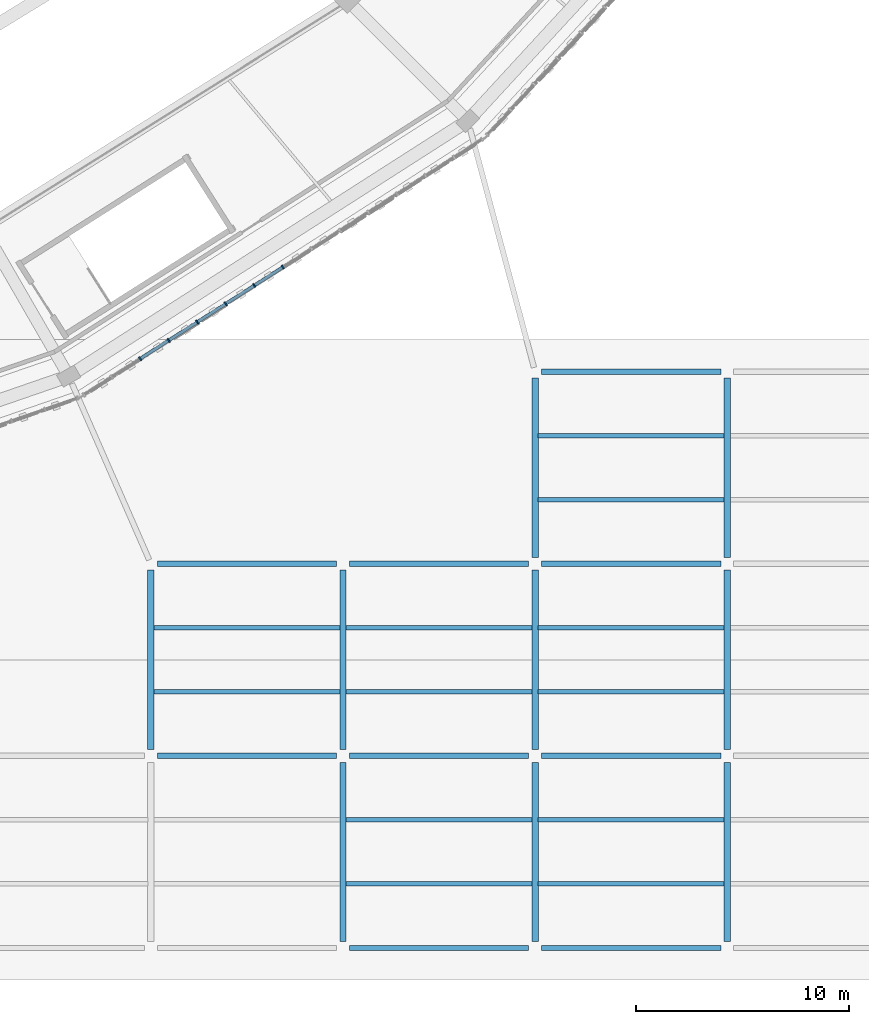
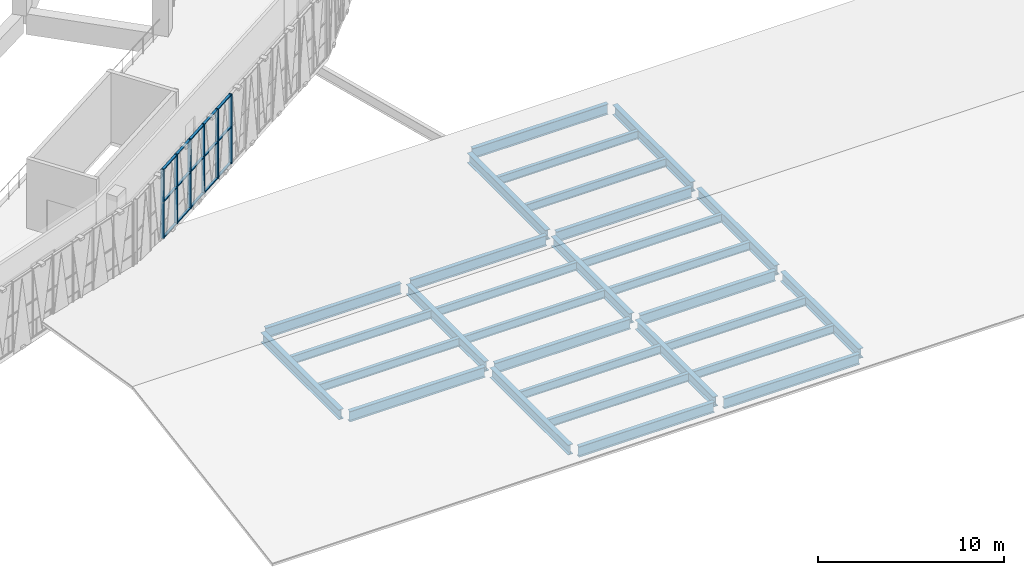
# One storey, part 21 of 108: 30 beams, 21 members, 1 element without a shape of its own.
"""IFC4 building model written with IfcOpenShell, lengths in metres."""

from ifc_helpers import new_model, si_unit, direction, frame, origin, origin_2d, place, context, subcontext, project, spatial, rectangle, i_section, extrude, material, material_profile, profile_set, type_object, element, aggregate, save


model = new_model("IFC4")

# Units and contexts
model_context = context("Model", 3, precision=1e-05, world=origin(), true_north=direction((0.0, 1.0)))
body_context = subcontext(model_context, "Body", "Model", "MODEL_VIEW")
ifc_project = project(units=[si_unit("LENGTHUNIT", "METRE"), si_unit("AREAUNIT", "SQUARE_METRE"), si_unit("VOLUMEUNIT", "CUBIC_METRE"), si_unit("PLANEANGLEUNIT", "RADIAN"), si_unit("MASSUNIT", "GRAM", prefix="KILO")], contexts=[model_context])

# Site, building, storey
site_placement = place(None, origin())
site = spatial("IfcSite", under=ifc_project, at=site_placement, CompositionType="ELEMENT")
building_placement = place(site_placement, origin())
building = spatial("IfcBuilding", under=site, at=building_placement, Name="Zevraka Park Crest Stadium", CompositionType="ELEMENT")
storey_placement = place(building_placement, frame((0.0, 0.0, 19.800048828125)))
storey = spatial("IfcBuildingStorey", under=building, at=storey_placement, Name="L04", CompositionType="ELEMENT", Elevation=19.800048828125)

# Beams
ifc_material_1 = material(Name="Steel S355", Category="steel")
ifc_material_profile_1 = material_profile(ifc_material_1, i_section(OverallWidth=0.253662109375, OverallDepth=0.68359375, WebThickness=0.012451171875, FlangeThickness=0.01904296875, at=origin_2d()), Name="UKB 686x254x140")
ifc_profile_set_1 = profile_set([ifc_material_profile_1], Name="Steel S355")
beam_type_1 = type_object("IfcBeamType", Name="BG05", PredefinedType="BEAM", material=ifc_profile_set_1)
for number, where, z_axis, x_axis, name in (
    (1, (161.300048828125, 9.0, -0.60986328125), (1.0, 0.0, 0.0), (0.0, 1.0, 0.0), "Wing Girder BG05 L04-1819/B"),
    (2, (161.300048828125, 18.0, -0.60986328125), (1.0, 0.0, 0.0), (0.0, 1.0, 0.0), "Wing Girder BG05 L04-1819/C"),
    (3, (170.300048828125, 0.0, -0.60986328125), (1.0, 0.0, 0.0), (0.0, 1.0, 0.0), "Wing Girder BG05 L04-1920/A"),
    (4, (170.300048828125, 9.0, -0.60986328125), (1.0, 0.0, 0.0), (0.0, 1.0, 0.0), "Wing Girder BG05 L04-1920/B"),
    (5, (170.300048828125, 18.0, -0.60986328125), (1.0, 0.0, 0.0), (0.0, 1.0, 0.0), "Wing Girder BG05 L04-1920/C"),
    (6, (179.300048828125, 0.0, -0.60986328125), (1.0, 0.0, 0.0), (0.0, 1.0, 0.0), "Wing Girder BG05 L04-2021/A"),
    (7, (179.300048828125, 9.0, -0.60986328125), (1.0, 0.0, 0.0), (0.0, 1.0, 0.0), "Wing Girder BG05 L04-2021/B"),
    (8, (179.300048828125, 18.0, -0.60986328125), (1.0, 0.0, 0.0), (0.0, 1.0, 0.0), "Wing Girder BG05 L04-2021/C"),
    (9, (179.300048828125, 27.0, -0.60986328125), (1.0, 0.0, 0.0), (0.0, 1.0, 0.0), "Wing Girder BG05 L04-2021/D"),
):
    element("IfcBeam", number, at=place(storey_placement, frame(where, z_axis=z_axis, x_axis=x_axis)), inside=storey, type_object=beam_type_1, Name=name, PredefinedType="BEAM", context=body_context, shape_type="SweptSolid", body=[
        extrude(i_section(OverallWidth=0.253662109375, OverallDepth=0.68359375, WebThickness=0.012451171875, FlangeThickness=0.01904296875, at=origin_2d()), origin(), (0.0, 0.0, 1.0), 8.39990234375),
    ])
ifc_material_2 = material(Name="Steel S355", Category="steel")
ifc_material_profile_2 = material_profile(ifc_material_2, i_section(OverallWidth=0.300048828125, OverallDepth=0.64990234375, WebThickness=0.01611328125, FlangeThickness=0.031005859375, at=origin_2d()), Name="HEB 650")
ifc_profile_set_2 = profile_set([ifc_material_profile_2], Name="Steel S355")
beam_type_2 = type_object("IfcBeamType", Name="BG07", PredefinedType="BEAM", material=ifc_profile_set_2)
for number, where, z_axis, x_axis, name in (
    (10, (161.0, 9.300048828125, -0.593017578125), (0.0, 1.0, 0.0), (-1.0, 0.0, 0.0), "Wing Girder BG07 L04-18/BC"),
    (11, (170.0, 0.300048828125, -0.593017578125), (0.0, 1.0, 0.0), (-1.0, 0.0, 0.0), "Wing Girder BG07 L04-19/AB"),
    (12, (170.0, 9.300048828125, -0.593017578125), (0.0, 1.0, 0.0), (-1.0, 0.0, 0.0), "Wing Girder BG07 L04-19/BC"),
    (13, (179.0, 0.300048828125, -0.593017578125), (0.0, 1.0, 0.0), (-1.0, 0.0, 0.0), "Wing Girder BG07 L04-20/AB"),
    (14, (179.0, 9.300048828125, -0.593017578125), (0.0, 1.0, 0.0), (-1.0, 0.0, 0.0), "Wing Girder BG07 L04-20/BC"),
    (15, (179.0, 18.300048828125, -0.593017578125), (0.0, 1.0, 0.0), (-1.0, 0.0, 0.0), "Wing Girder BG07 L04-20/CD"),
    (16, (188.0, 0.300048828125, -0.593017578125), (0.0, 1.0, 0.0), (-1.0, 0.0, 0.0), "Wing Girder BG07 L04-21/AB"),
    (17, (188.0, 9.300048828125, -0.593017578125), (0.0, 1.0, 0.0), (-1.0, 0.0, 0.0), "Wing Girder BG07 L04-21/BC"),
    (18, (188.0, 18.300048828125, -0.593017578125), (0.0, 1.0, 0.0), (-1.0, 0.0, 0.0), "Wing Girder BG07 L04-21/CD"),
):
    element("IfcBeam", number, at=place(storey_placement, frame(where, z_axis=z_axis, x_axis=x_axis)), inside=storey, type_object=beam_type_2, Name=name, PredefinedType="BEAM", context=body_context, shape_type="SweptSolid", body=[
        extrude(i_section(OverallWidth=0.300048828125, OverallDepth=0.64990234375, WebThickness=0.01611328125, FlangeThickness=0.031005859375, at=origin_2d()), origin(), (0.0, 0.0, 1.0), 8.39990234375),
    ])

# Curtain wall, members
ifc_material_3 = material(Name="Anodised architectural aluminium and laminated safety glass", Category="aluminium")
curtain_wall_type = type_object("IfcCurtainWallType", Name="CW18", PredefinedType="NOTDEFINED", material=ifc_material_3)
curtain_wall_placement = place(storey_placement, origin())
curtain_wall = element("IfcCurtainWall", 19, at=curtain_wall_placement, inside=storey, type_object=curtain_wall_type, Name="Unitised Ring Curtain Wall CW18 L04-20", PredefinedType="NOTDEFINED")
ifc_material_4 = material(Name="Anodised architectural aluminium", Category="aluminium")
ifc_material_profile_3 = material_profile(ifc_material_4, rectangle(XDim=0.199951171875, YDim=0.070068359375, at=origin_2d()), Name="ALU MULLION 200x70")
ifc_profile_set_3 = profile_set([ifc_material_profile_3], Name="Anodised architectural aluminium")
member_type_1 = type_object("IfcMemberType", Name="CM03", PredefinedType="MULLION", material=ifc_profile_set_3)
member_1_placement = place(storey_placement, frame((160.49853515625, 27.607177734375, 0.0), z_axis=(0.0, 0.0, 1.0), x_axis=(-0.539979944029, 0.841677883781, 0.0)))
member_1 = element("IfcMember", 20, at=member_1_placement, type_object=member_type_1, Name="CW18 mullion 3", PredefinedType="MULLION", context=body_context, shape_type="SweptSolid", body=[
    extrude(rectangle(XDim=0.199951171875, YDim=0.070068359375, at=origin_2d()), origin(), (0.0, 0.0, 1.0), 4.5400390625),
])
member_2_placement = place(storey_placement, frame((161.835205078125, 28.464599609375, 0.0), z_axis=(0.0, 0.0, 1.0), x_axis=(-0.539979944029, 0.841677883781, 0.0)))
member_2 = element("IfcMember", 21, at=member_2_placement, type_object=member_type_1, Name="CW18 mullion 4", PredefinedType="MULLION", context=body_context, shape_type="SweptSolid", body=[
    extrude(rectangle(XDim=0.199951171875, YDim=0.070068359375, at=origin_2d()), origin(), (0.0, 0.0, 1.0), 4.5400390625),
])
member_3_placement = place(storey_placement, frame((163.171875, 29.322265625, 0.0), z_axis=(0.0, 0.0, 1.0), x_axis=(-0.539979944029, 0.841677883781, 0.0)))
member_3 = element("IfcMember", 22, at=member_3_placement, type_object=member_type_1, Name="CW18 mullion 5", PredefinedType="MULLION", context=body_context, shape_type="SweptSolid", body=[
    extrude(rectangle(XDim=0.199951171875, YDim=0.070068359375, at=origin_2d()), origin(), (0.0, 0.0, 1.0), 4.5400390625),
])
member_4_placement = place(storey_placement, frame((164.508544921875, 30.179931640625, 0.0), z_axis=(0.0, 0.0, 1.0), x_axis=(-0.539979944029, 0.841677883781, 0.0)))
member_4 = element("IfcMember", 23, at=member_4_placement, type_object=member_type_1, Name="CW18 mullion 6", PredefinedType="MULLION", context=body_context, shape_type="SweptSolid", body=[
    extrude(rectangle(XDim=0.199951171875, YDim=0.070068359375, at=origin_2d()), origin(), (0.0, 0.0, 1.0), 4.5400390625),
])
member_5_placement = place(storey_placement, frame((165.84521484375, 31.037353515625, 0.0), z_axis=(0.0, 0.0, 1.0), x_axis=(-0.539979944029, 0.841677883781, 0.0)))
member_5 = element("IfcMember", 24, at=member_5_placement, type_object=member_type_1, Name="CW18 mullion 7", PredefinedType="MULLION", context=body_context, shape_type="SweptSolid", body=[
    extrude(rectangle(XDim=0.199951171875, YDim=0.070068359375, at=origin_2d()), origin(), (0.0, 0.0, 1.0), 4.5400390625),
])
member_6_placement = place(storey_placement, frame((167.181884765625, 31.89501953125, 0.0), z_axis=(0.0, 0.0, 1.0), x_axis=(-0.539979944029, 0.841677883781, 0.0)))
member_6 = element("IfcMember", 25, at=member_6_placement, type_object=member_type_1, Name="CW18 mullion 8", PredefinedType="MULLION", context=body_context, shape_type="SweptSolid", body=[
    extrude(rectangle(XDim=0.199951171875, YDim=0.070068359375, at=origin_2d()), origin(), (0.0, 0.0, 1.0), 4.5400390625),
])
ifc_material_5 = material(Name="Anodised architectural aluminium", Category="aluminium")
ifc_material_profile_4 = material_profile(ifc_material_5, rectangle(XDim=0.14990234375, YDim=0.070068359375, at=origin_2d()), Name="ALU TRANSOM 150x70")
ifc_profile_set_4 = profile_set([ifc_material_profile_4], Name="Anodised architectural aluminium")
member_type_2 = type_object("IfcMemberType", Name="CT03", PredefinedType="USERDEFINED", material=ifc_profile_set_4)
member_7_placement = place(storey_placement, frame((160.52783203125, 27.6259765625, 0.034912109375), z_axis=(0.841669260565, 0.539993384978, 0.0), x_axis=(-0.539993384978, 0.841669260565, 0.0)))
member_7 = element("IfcMember", 26, at=member_7_placement, type_object=member_type_2, Name="CW18 transom 3.1", ObjectType="TRANSOM", PredefinedType="USERDEFINED", context=body_context, shape_type="SweptSolid", body=[
    extrude(rectangle(XDim=0.14990234375, YDim=0.070068359375, at=origin_2d()), origin(), (0.0, 0.0, 1.0), 1.518310546875),
])
member_8_placement = place(storey_placement, frame((160.52783203125, 27.6259765625, 2.39990234375), z_axis=(0.841669260565, 0.539993384978, 0.0), x_axis=(-0.539993384978, 0.841669260565, 0.0)))
member_8 = element("IfcMember", 27, at=member_8_placement, type_object=member_type_2, Name="CW18 transom 3.2", ObjectType="TRANSOM", PredefinedType="USERDEFINED", context=body_context, shape_type="SweptSolid", body=[
    extrude(rectangle(XDim=0.14990234375, YDim=0.070068359375, at=origin_2d()), origin(), (0.0, 0.0, 1.0), 1.518310546875),
])
member_9_placement = place(storey_placement, frame((160.52783203125, 27.6259765625, 4.5048828125), z_axis=(0.841669260565, 0.539993384978, 0.0), x_axis=(-0.539993384978, 0.841669260565, 0.0)))
member_9 = element("IfcMember", 28, at=member_9_placement, type_object=member_type_2, Name="CW18 transom 3.3", ObjectType="TRANSOM", PredefinedType="USERDEFINED", context=body_context, shape_type="SweptSolid", body=[
    extrude(rectangle(XDim=0.14990234375, YDim=0.070068359375, at=origin_2d()), origin(), (0.0, 0.0, 1.0), 1.518310546875),
])
member_10_placement = place(storey_placement, frame((161.864501953125, 28.483642578125, 0.034912109375), z_axis=(0.841669260565, 0.539993384978, 0.0), x_axis=(-0.539993384978, 0.841669260565, 0.0)))
member_10 = element("IfcMember", 29, at=member_10_placement, type_object=member_type_2, Name="CW18 transom 4.1", ObjectType="TRANSOM", PredefinedType="USERDEFINED", context=body_context, shape_type="SweptSolid", body=[
    extrude(rectangle(XDim=0.14990234375, YDim=0.070068359375, at=origin_2d()), origin(), (0.0, 0.0, 1.0), 1.518310546875),
])
member_11_placement = place(storey_placement, frame((161.864501953125, 28.483642578125, 2.39990234375), z_axis=(0.841669260565, 0.539993384978, 0.0), x_axis=(-0.539993384978, 0.841669260565, 0.0)))
member_11 = element("IfcMember", 30, at=member_11_placement, type_object=member_type_2, Name="CW18 transom 4.2", ObjectType="TRANSOM", PredefinedType="USERDEFINED", context=body_context, shape_type="SweptSolid", body=[
    extrude(rectangle(XDim=0.14990234375, YDim=0.070068359375, at=origin_2d()), origin(), (0.0, 0.0, 1.0), 1.518310546875),
])
member_12_placement = place(storey_placement, frame((161.864501953125, 28.483642578125, 4.5048828125), z_axis=(0.841669260565, 0.539993384978, 0.0), x_axis=(-0.539993384978, 0.841669260565, 0.0)))
member_12 = element("IfcMember", 31, at=member_12_placement, type_object=member_type_2, Name="CW18 transom 4.3", ObjectType="TRANSOM", PredefinedType="USERDEFINED", context=body_context, shape_type="SweptSolid", body=[
    extrude(rectangle(XDim=0.14990234375, YDim=0.070068359375, at=origin_2d()), origin(), (0.0, 0.0, 1.0), 1.518310546875),
])
member_13_placement = place(storey_placement, frame((163.201416015625, 29.341064453125, 0.034912109375), z_axis=(0.841622360569, 0.540066479417, 0.0), x_axis=(-0.540066479417, 0.841622360569, 0.0)))
member_13 = element("IfcMember", 32, at=member_13_placement, type_object=member_type_2, Name="CW18 transom 5.1", ObjectType="TRANSOM", PredefinedType="USERDEFINED", context=body_context, shape_type="SweptSolid", body=[
    extrude(rectangle(XDim=0.14990234375, YDim=0.070068359375, at=origin_2d()), origin(), (0.0, 0.0, 1.0), 1.51806640625),
])
member_14_placement = place(storey_placement, frame((163.201416015625, 29.341064453125, 2.39990234375), z_axis=(0.841622360569, 0.540066479417, 0.0), x_axis=(-0.540066479417, 0.841622360569, 0.0)))
member_14 = element("IfcMember", 33, at=member_14_placement, type_object=member_type_2, Name="CW18 transom 5.2", ObjectType="TRANSOM", PredefinedType="USERDEFINED", context=body_context, shape_type="SweptSolid", body=[
    extrude(rectangle(XDim=0.14990234375, YDim=0.070068359375, at=origin_2d()), origin(), (0.0, 0.0, 1.0), 1.51806640625),
])
member_15_placement = place(storey_placement, frame((163.201416015625, 29.341064453125, 4.5048828125), z_axis=(0.841622360569, 0.540066479417, 0.0), x_axis=(-0.540066479417, 0.841622360569, 0.0)))
member_15 = element("IfcMember", 34, at=member_15_placement, type_object=member_type_2, Name="CW18 transom 5.3", ObjectType="TRANSOM", PredefinedType="USERDEFINED", context=body_context, shape_type="SweptSolid", body=[
    extrude(rectangle(XDim=0.14990234375, YDim=0.070068359375, at=origin_2d()), origin(), (0.0, 0.0, 1.0), 1.51806640625),
])
member_16_placement = place(storey_placement, frame((164.5380859375, 30.19873046875, 0.034912109375), z_axis=(0.841669260565, 0.539993384978, 0.0), x_axis=(-0.539993384978, 0.841669260565, 0.0)))
member_16 = element("IfcMember", 35, at=member_16_placement, type_object=member_type_2, Name="CW18 transom 6.1", ObjectType="TRANSOM", PredefinedType="USERDEFINED", context=body_context, shape_type="SweptSolid", body=[
    extrude(rectangle(XDim=0.14990234375, YDim=0.070068359375, at=origin_2d()), origin(), (0.0, 0.0, 1.0), 1.518310546875),
])
member_17_placement = place(storey_placement, frame((164.5380859375, 30.19873046875, 2.39990234375), z_axis=(0.841669260565, 0.539993384978, 0.0), x_axis=(-0.539993384978, 0.841669260565, 0.0)))
member_17 = element("IfcMember", 36, at=member_17_placement, type_object=member_type_2, Name="CW18 transom 6.2", ObjectType="TRANSOM", PredefinedType="USERDEFINED", context=body_context, shape_type="SweptSolid", body=[
    extrude(rectangle(XDim=0.14990234375, YDim=0.070068359375, at=origin_2d()), origin(), (0.0, 0.0, 1.0), 1.518310546875),
])
member_18_placement = place(storey_placement, frame((164.5380859375, 30.19873046875, 4.5048828125), z_axis=(0.841669260565, 0.539993384978, 0.0), x_axis=(-0.539993384978, 0.841669260565, 0.0)))
member_18 = element("IfcMember", 37, at=member_18_placement, type_object=member_type_2, Name="CW18 transom 6.3", ObjectType="TRANSOM", PredefinedType="USERDEFINED", context=body_context, shape_type="SweptSolid", body=[
    extrude(rectangle(XDim=0.14990234375, YDim=0.070068359375, at=origin_2d()), origin(), (0.0, 0.0, 1.0), 1.518310546875),
])
member_19_placement = place(storey_placement, frame((165.874755859375, 31.056396484375, 0.034912109375), z_axis=(0.841669260565, 0.539993384978, 0.0), x_axis=(-0.539993384978, 0.841669260565, 0.0)))
member_19 = element("IfcMember", 38, at=member_19_placement, type_object=member_type_2, Name="CW18 transom 7.1", ObjectType="TRANSOM", PredefinedType="USERDEFINED", context=body_context, shape_type="SweptSolid", body=[
    extrude(rectangle(XDim=0.14990234375, YDim=0.070068359375, at=origin_2d()), origin(), (0.0, 0.0, 1.0), 1.518310546875),
])
member_20_placement = place(storey_placement, frame((165.874755859375, 31.056396484375, 2.39990234375), z_axis=(0.841669260565, 0.539993384978, 0.0), x_axis=(-0.539993384978, 0.841669260565, 0.0)))
member_20 = element("IfcMember", 39, at=member_20_placement, type_object=member_type_2, Name="CW18 transom 7.2", ObjectType="TRANSOM", PredefinedType="USERDEFINED", context=body_context, shape_type="SweptSolid", body=[
    extrude(rectangle(XDim=0.14990234375, YDim=0.070068359375, at=origin_2d()), origin(), (0.0, 0.0, 1.0), 1.518310546875),
])
member_21_placement = place(storey_placement, frame((165.874755859375, 31.056396484375, 4.5048828125), z_axis=(0.841669260565, 0.539993384978, 0.0), x_axis=(-0.539993384978, 0.841669260565, 0.0)))
member_21 = element("IfcMember", 40, at=member_21_placement, type_object=member_type_2, Name="CW18 transom 7.3", ObjectType="TRANSOM", PredefinedType="USERDEFINED", context=body_context, shape_type="SweptSolid", body=[
    extrude(rectangle(XDim=0.14990234375, YDim=0.070068359375, at=origin_2d()), origin(), (0.0, 0.0, 1.0), 1.518310546875),
])
aggregate(curtain_wall, [member_1, member_2, member_3, member_4, member_5, member_6, member_7, member_8, member_9, member_10, member_11, member_12, member_13, member_14, member_15, member_16, member_17, member_18, member_19, member_20, member_21])

# Beams
ifc_material_6 = material(Name="Steel S355", Category="steel")
ifc_material_profile_5 = material_profile(ifc_material_6, i_section(OverallWidth=0.209228515625, OverallDepth=0.533203125, WebThickness=0.010009765625, FlangeThickness=0.015625, at=origin_2d()), Name="UKB 533x210x92")
ifc_profile_set_5 = profile_set([ifc_material_profile_5], Name="Steel S355")
beam_type_3 = type_object("IfcBeamType", Name="SJ05", PredefinedType="JOIST", material=ifc_profile_set_5)
for number, where, z_axis, x_axis, name in (
    (41, (161.14501953125, 12.0, -0.53662109375), (1.0, 0.0, 0.0), (0.0, 1.0, 0.0), "Wing Joist SJ05 L04-18/B-1"),
    (42, (161.14501953125, 15.0, -0.53662109375), (1.0, 0.0, 0.0), (0.0, 1.0, 0.0), "Wing Joist SJ05 L04-18/B-2"),
    (43, (170.14501953125, 3.0, -0.53662109375), (1.0, 0.0, 0.0), (0.0, 1.0, 0.0), "Wing Joist SJ05 L04-19/A-1"),
    (44, (170.14501953125, 6.0, -0.53662109375), (1.0, 0.0, 0.0), (0.0, 1.0, 0.0), "Wing Joist SJ05 L04-19/A-2"),
    (45, (170.14501953125, 12.0, -0.53662109375), (1.0, 0.0, 0.0), (0.0, 1.0, 0.0), "Wing Joist SJ05 L04-19/B-1"),
    (46, (170.14501953125, 15.0, -0.53662109375), (1.0, 0.0, 0.0), (0.0, 1.0, 0.0), "Wing Joist SJ05 L04-19/B-2"),
    (47, (179.14501953125, 3.0, -0.53662109375), (1.0, 0.0, 0.0), (0.0, 1.0, 0.0), "Wing Joist SJ05 L04-20/A-1"),
    (48, (179.14501953125, 6.0, -0.53662109375), (1.0, 0.0, 0.0), (0.0, 1.0, 0.0), "Wing Joist SJ05 L04-20/A-2"),
    (49, (179.14501953125, 12.0, -0.53662109375), (1.0, 0.0, 0.0), (0.0, 1.0, 0.0), "Wing Joist SJ05 L04-20/B-1"),
    (50, (179.14501953125, 15.0, -0.53662109375), (1.0, 0.0, 0.0), (0.0, 1.0, 0.0), "Wing Joist SJ05 L04-20/B-2"),
    (51, (179.14501953125, 21.0, -0.53662109375), (1.0, 0.0, 0.0), (0.0, 1.0, 0.0), "Wing Joist SJ05 L04-20/C-1"),
    (52, (179.14501953125, 24.0, -0.53662109375), (1.0, 0.0, 0.0), (0.0, 1.0, 0.0), "Wing Joist SJ05 L04-20/C-2"),
):
    element("IfcBeam", number, at=place(storey_placement, frame(where, z_axis=z_axis, x_axis=x_axis)), inside=storey, type_object=beam_type_3, Name=name, PredefinedType="JOIST", context=body_context, shape_type="SweptSolid", body=[
        extrude(i_section(OverallWidth=0.209228515625, OverallDepth=0.533203125, WebThickness=0.010009765625, FlangeThickness=0.015625, at=origin_2d()), origin(), (0.0, 0.0, 1.0), 8.7099609375),
    ])

save(model, "model.ifc")
